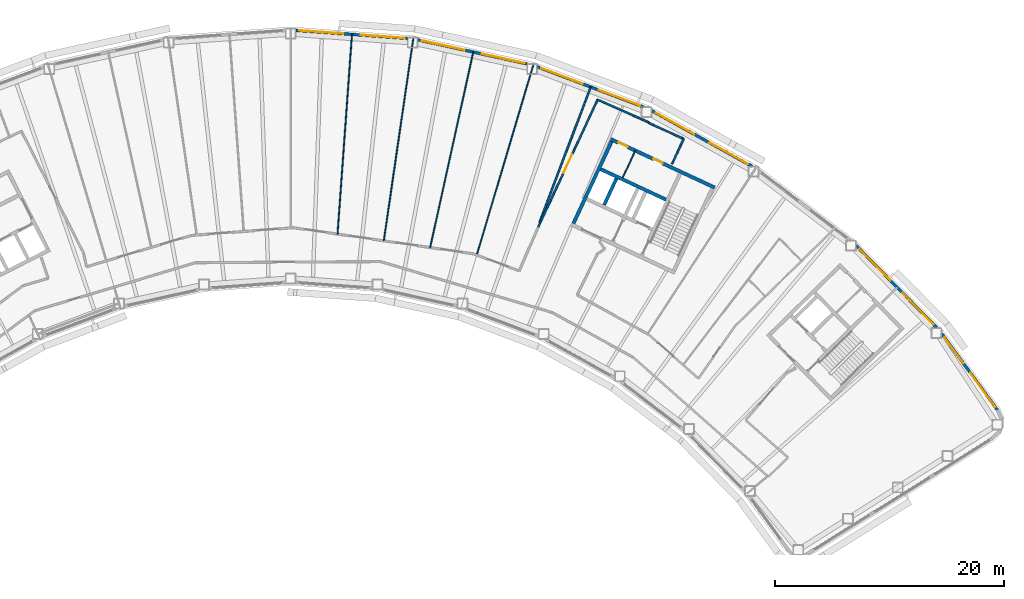
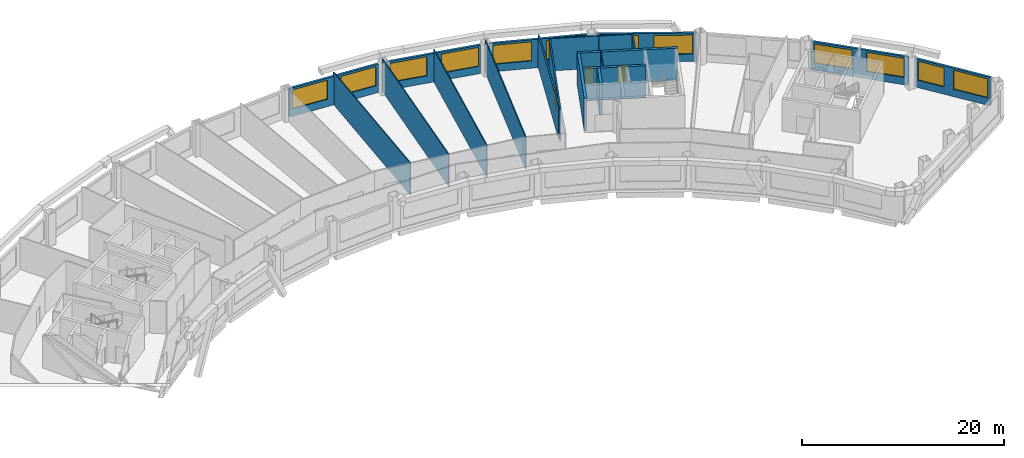
# One storey, part 10 of 16: 20 walls, 12 windows, 3 doors, 15 openings.
"""IFC4 building model written with IfcOpenShell, lengths in metres."""

from ifc_helpers import new_model, si_unit, direction, frame, frame_2d, origin, place, context, subcontext, project, spatial, rectangle, extrude, material, layer, layer_set, type_object, element, fill, save


model = new_model("IFC4")

# Units and contexts
model_context = context("Model", 3, precision=1e-05, world=origin(), true_north=direction((0.0, 1.0)))
body_context = subcontext(model_context, "Body", "Model", "MODEL_VIEW")
ifc_project = project(units=[si_unit("LENGTHUNIT", "METRE"), si_unit("AREAUNIT", "SQUARE_METRE"), si_unit("VOLUMEUNIT", "CUBIC_METRE"), si_unit("PLANEANGLEUNIT", "RADIAN"), si_unit("MASSUNIT", "GRAM", prefix="KILO")], contexts=[model_context])

# Site, building, storey
site_placement = place(None, origin())
site = spatial("IfcSite", under=ifc_project, at=site_placement, CompositionType="ELEMENT")
building_placement = place(site_placement, origin())
building = spatial("IfcBuilding", under=site, at=building_placement, Name="Tuul Gate Civic Tower", CompositionType="ELEMENT")
storey_placement = place(building_placement, frame((0.0, 0.0, 184.699951171875)))
storey = spatial("IfcBuildingStorey", under=building, at=storey_placement, Name="Level 42", CompositionType="ELEMENT", Elevation=184.699951171875)

# Wall
ifc_material_1 = material(Name="Concrete C50/60", Category="concrete")
ifc_layer_1 = layer(ifc_material_1, 0.300048828125)
ifc_layer_set_1 = layer_set([ifc_layer_1], Name="Concrete C50/60")
wall_type_1 = type_object("IfcWallType", Name="Core wall C50/60", PredefinedType="SHEAR", material=ifc_layer_set_1)
wall_1_placement = place(storey_placement, frame((33.75, -0.873779296875, 0.0), z_axis=(0.0, 0.0, 1.0), x_axis=(-0.906300917592, 0.422632992999, 0.0)))
element("IfcWall", 1, at=wall_1_placement, inside=storey, type_object=wall_type_1, Name="Core wall", PredefinedType="SHEAR", context=body_context, shape_type="SweptSolid", body=[
    extrude(rectangle(XDim=6.300048828125, YDim=0.300048828125, at=frame_2d((3.14990234375, 0.0))), origin(), (0.0, 0.0, 1.0), 3.900146484375),
])

# Wall, openings, doors
wall_2_placement = place(storey_placement, frame((37.993408203125, 0.181884765625, 0.0), z_axis=(0.0, 0.0, 1.0), x_axis=(-0.906310338845, 0.422612789327, 0.0)))
wall_2 = element("IfcWall", 2, at=wall_2_placement, inside=storey, type_object=wall_type_1, Name="Core wall", PredefinedType="SHEAR", context=body_context, shape_type="SweptSolid", body=[
    extrude(rectangle(XDim=9.999755859375, YDim=0.300048828125, at=frame_2d((5.0, 0.0))), origin(), (0.0, 0.0, 1.0), 3.900146484375),
])
opening_1_placement = place(wall_2_placement, frame((4.99365234375, 0.0, 0.0)))
opening_1 = element("IfcOpeningElement", 3, at=opening_1_placement, cuts=wall_2, Name="Opening O-D29", PredefinedType="OPENING", context=body_context, shape_type="SweptSolid", body=[
    extrude(rectangle(XDim=0.89990234375, YDim=2.10009765625, at=frame_2d((0.449951171875, 1.050048828125))), frame((0.0, 0.16015625, 0.0), z_axis=(0.0, -1.0, 0.0), x_axis=(1.0, 0.0, 0.0)), (0.0, 0.0, 1.0), 0.320068359375),
])
opening_2_placement = place(wall_2_placement, frame((8.368896484375, 0.0, 0.0)))
opening_2 = element("IfcOpeningElement", 4, at=opening_2_placement, cuts=wall_2, Name="Opening O-D30", PredefinedType="OPENING", context=body_context, shape_type="SweptSolid", body=[
    extrude(rectangle(XDim=0.89990234375, YDim=2.10009765625, at=frame_2d((0.449951171875, 1.050048828125))), frame((0.0, 0.16015625, 0.0), z_axis=(0.0, -1.0, 0.0), x_axis=(1.0, 0.0, 0.0)), (0.0, 0.0, 1.0), 0.320068359375),
])
ifc_material_2 = material(Name="Timber door leaf", Category="wood")
door_type_1 = type_object("IfcDoorType", Name="Door D09", OperationType="NOTDEFINED", PredefinedType="DOOR", material=ifc_material_2)
door_1_placement = place(opening_1_placement, origin())
door_1 = element("IfcDoor", 5, at=door_1_placement, inside=storey, type_object=door_type_1, Name="Door O-D29", OperationType="SINGLE_SWING_LEFT", OverallHeight=2.10009765625, OverallWidth=0.89990234375, PredefinedType="DOOR", context=body_context, shape_type="SweptSolid", body=[
    extrude(rectangle(XDim=0.89990234375, YDim=2.10009765625, at=frame_2d((0.449951171875, 1.050048828125))), frame((0.0, 0.02490234375, 0.0), z_axis=(0.0, -1.0, 0.0), x_axis=(1.0, 0.0, 0.0)), (0.0, 0.0, 1.0), 0.050048828125),
])
fill(opening_1, door_1)
door_2_placement = place(opening_2_placement, origin())
door_2 = element("IfcDoor", 6, at=door_2_placement, inside=storey, type_object=door_type_1, Name="Door O-D30", OperationType="SINGLE_SWING_RIGHT", OverallHeight=2.10009765625, OverallWidth=0.89990234375, PredefinedType="DOOR", context=body_context, shape_type="SweptSolid", body=[
    extrude(rectangle(XDim=0.89990234375, YDim=2.10009765625, at=frame_2d((0.449951171875, 1.050048828125))), frame((0.0, 0.02490234375, 0.0), z_axis=(0.0, -1.0, 0.0), x_axis=(1.0, 0.0, 0.0)), (0.0, 0.0, 1.0), 0.050048828125),
])
fill(opening_2, door_2)

# Walls
wall_3_placement = place(storey_placement, frame((28.349365234375, -1.33447265625, 0.0), z_axis=(0.0, 0.0, 1.0), x_axis=(0.422612891016, 0.906310291427, 0.0)))
element("IfcWall", 7, at=wall_3_placement, inside=storey, type_object=wall_type_1, Name="Core wall", PredefinedType="SHEAR", context=body_context, shape_type="SweptSolid", body=[
    extrude(rectangle(XDim=2.550048828125, YDim=0.300048828125, at=frame_2d((1.27490234375, 0.0))), origin(), (0.0, 0.0, 1.0), 3.900146484375),
])
wall_4_placement = place(storey_placement, frame((25.66455078125, -2.951416015625, 0.0), z_axis=(0.0, 0.0, 1.0), x_axis=(0.422582604137, 0.906324413596, 0.0)))
element("IfcWall", 8, at=wall_4_placement, inside=storey, type_object=wall_type_1, Name="Core wall", PredefinedType="SHEAR", context=body_context, shape_type="SweptSolid", body=[
    extrude(rectangle(XDim=7.89990234375, YDim=0.300048828125, at=frame_2d((3.949951171875, 0.0))), origin(), (0.0, 0.0, 1.0), 3.900146484375),
])
ifc_material_3 = material(Name="Gypsum board partition")
ifc_layer_2 = layer(ifc_material_3, 0.14990234375)
ifc_layer_set_2 = layer_set([ifc_layer_2], Name="Gypsum board partition")
wall_type_2 = type_object("IfcWallType", Name="Corridor wall P150", PredefinedType="PARTITIONING", material=ifc_layer_set_2)
wall_5_placement = place(storey_placement, frame((34.2744140625, 2.247802734375, 0.0), z_axis=(0.0, 0.0, 1.0), x_axis=(0.422602496555, 0.906315138296, 0.0)))
element("IfcWall", 9, at=wall_5_placement, inside=storey, type_object=wall_type_2, Name="p020", PredefinedType="PARTITIONING", context=body_context, shape_type="SweptSolid", body=[
    extrude(rectangle(XDim=2.408935546875, YDim=0.14990234375, at=frame_2d((1.20458984375, 0.0))), origin(), (0.0, 0.0, 1.0), 3.900146484375),
])
wall_6_placement = place(storey_placement, frame((27.78076171875, 7.85693359375, 0.0), z_axis=(0.0, 0.0, 1.0), x_axis=(0.913468780011, -0.406908820187, 0.0)))
element("IfcWall", 10, at=wall_6_placement, inside=storey, type_object=wall_type_2, Name="p021", PredefinedType="PARTITIONING", context=body_context, shape_type="SweptSolid", body=[
    extrude(rectangle(XDim=4.88037109375, YDim=0.14990234375, at=frame_2d((2.440185546875, 0.0))), origin(), (0.0, 0.0, 1.0), 3.900146484375),
])
wall_7_placement = place(storey_placement, frame((32.239501953125, 5.82373046875, 0.0), z_axis=(0.0, 0.0, 1.0), x_axis=(0.909874950062, -0.414882604179, 0.0)))
element("IfcWall", 11, at=wall_7_placement, inside=storey, type_object=wall_type_2, Name="p022", PredefinedType="PARTITIONING", context=body_context, shape_type="SweptSolid", body=[
    extrude(rectangle(XDim=3.35546875, YDim=0.14990234375, at=frame_2d((1.677734375, 0.0))), origin(), (0.0, 0.0, 1.0), 3.900146484375),
])

# Wall, opening, door
wall_8_placement = place(storey_placement, frame((22.580078125, -3.29638671875, 0.0), z_axis=(0.0, 0.0, 1.0), x_axis=(0.422580246916, 0.90632551267, 0.0)))
wall_8 = element("IfcWall", 12, at=wall_8_placement, inside=storey, type_object=wall_type_2, Name="p024", PredefinedType="PARTITIONING", context=body_context, shape_type="SweptSolid", body=[
    extrude(rectangle(XDim=12.305908203125, YDim=0.14990234375, at=frame_2d((6.15283203125, 0.0))), origin(), (0.0, 0.0, 1.0), 3.900146484375),
])
opening_3_placement = place(wall_8_placement, frame((5.246337890625, 0.0, 0.0)))
opening_3 = element("IfcOpeningElement", 13, at=opening_3_placement, cuts=wall_8, Name="Opening O-D04", PredefinedType="OPENING", context=body_context, shape_type="SweptSolid", body=[
    extrude(rectangle(XDim=1.800048828125, YDim=2.10009765625, at=frame_2d((0.89990234375, 1.050048828125))), frame((0.0, 0.0849609375, 0.0), z_axis=(0.0, -1.0, 0.0), x_axis=(1.0, 0.0, 0.0)), (0.0, 0.0, 1.0), 0.169921875),
])
ifc_material_4 = material(Name="Timber door leaf, double", Category="wood")
door_type_2 = type_object("IfcDoorType", Name="Door D18", OperationType="DOUBLE_DOOR_SINGLE_SWING", PredefinedType="DOOR", material=ifc_material_4)
door_3_placement = place(opening_3_placement, frame((1.800048828125, 0.0, 0.0), z_axis=(0.0, 0.0, 1.0), x_axis=(-1.0, 0.0, 0.0)))
door_3 = element("IfcDoor", 14, at=door_3_placement, inside=storey, type_object=door_type_2, Name="Door O-D04", OperationType="DOUBLE_DOOR_SINGLE_SWING", OverallHeight=2.10009765625, OverallWidth=1.800048828125, PredefinedType="DOOR", context=body_context, shape_type="SweptSolid", body=[
    extrude(rectangle(XDim=1.800048828125, YDim=2.10009765625, at=frame_2d((0.900146484375, 1.050048828125))), frame((0.0, 0.02490234375, 0.0), z_axis=(0.0, -1.0, 0.0), x_axis=(1.0, 0.0, 0.0)), (0.0, 0.0, 1.0), 0.050048828125),
])
fill(opening_3, door_3)

# Wall
wall_9_placement = place(storey_placement, frame((22.704833984375, -2.859375, 0.0), z_axis=(0.0, 0.0, 1.0), x_axis=(0.35371861076, 0.935351882663, 0.0)))
element("IfcWall", 15, at=wall_9_placement, inside=storey, type_object=wall_type_2, Name="p026", PredefinedType="PARTITIONING", context=body_context, shape_type="SweptSolid", body=[
    extrude(rectangle(XDim=12.643310546875, YDim=0.14990234375, at=frame_2d((6.32177734375, 0.0))), origin(), (0.0, 0.0, 1.0), 3.900146484375),
])

# Wall, openings, windows
ifc_material_5 = material(Name="Precast concrete C40/50", Category="concrete")
ifc_layer_3 = layer(ifc_material_5, 0.25)
ifc_layer_set_3 = layer_set([ifc_layer_3], Name="Precast concrete C40/50")
wall_type_3 = type_object("IfcWallType", Name="External wall", PredefinedType="STANDARD", material=ifc_layer_set_3)
wall_10_placement = place(storey_placement, frame((62.678955078125, -19.229736328125, 0.0), z_axis=(0.0, 0.0, 1.0), x_axis=(-0.589755466838, 0.80758187779, 0.0)))
wall_10 = element("IfcWall", 16, at=wall_10_placement, inside=storey, type_object=wall_type_3, Name="External wall", PredefinedType="STANDARD", context=body_context, shape_type="SweptSolid", body=[
    extrude(rectangle(XDim=8.25244140625, YDim=0.25, at=frame_2d((4.126220703125, 0.0))), origin(), (0.0, 0.0, 1.0), 3.449951171875),
])
opening_4_placement = place(wall_10_placement, frame((0.30078125, 0.0, 0.89990234375)))
opening_4 = element("IfcOpeningElement", 17, at=opening_4_placement, cuts=wall_10, Name="Opening W21", PredefinedType="OPENING", context=body_context, shape_type="SweptSolid", body=[
    extrude(rectangle(XDim=3.699951171875, YDim=2.300048828125, at=frame_2d((1.85009765625, 1.14990234375))), frame((0.0, 0.135009765625, 0.0), z_axis=(0.0, -1.0, 0.0), x_axis=(1.0, 0.0, 0.0)), (0.0, 0.0, 1.0), 0.27001953125),
])
opening_5_placement = place(wall_10_placement, frame((5.052734375, 0.0, 0.89990234375)))
opening_5 = element("IfcOpeningElement", 18, at=opening_5_placement, cuts=wall_10, Name="Opening W23", PredefinedType="OPENING", context=body_context, shape_type="SweptSolid", body=[
    extrude(rectangle(XDim=2.800048828125, YDim=2.300048828125, at=frame_2d((1.39990234375, 1.14990234375))), frame((0.0, 0.135009765625, 0.0), z_axis=(0.0, -1.0, 0.0), x_axis=(1.0, 0.0, 0.0)), (0.0, 0.0, 1.0), 0.27001953125),
])
ifc_material_6 = material(Name="Glass", Category="glass")
window_type_1 = type_object("IfcWindowType", Name="Window W21 3700 x 2300", PartitioningType="SINGLE_PANEL", PredefinedType="WINDOW", material=ifc_material_6)
window_1_placement = place(opening_4_placement, origin())
window_1 = element("IfcWindow", 19, at=window_1_placement, inside=storey, type_object=window_type_1, Name="Window", OverallHeight=2.300048828125, OverallWidth=3.699951171875, PartitioningType="SINGLE_PANEL", PredefinedType="WINDOW", context=body_context, shape_type="SweptSolid", body=[
    extrude(rectangle(XDim=3.699951171875, YDim=2.300048828125, at=frame_2d((1.85009765625, 1.14990234375))), frame((0.0, 0.030029296875, 0.0), z_axis=(0.0, -1.0, 0.0), x_axis=(1.0, 0.0, 0.0)), (0.0, 0.0, 1.0), 0.06005859375),
])
fill(opening_4, window_1)
ifc_material_7 = material(Name="Glass", Category="glass")
window_type_2 = type_object("IfcWindowType", Name="Window W23 2800 x 2300", PartitioningType="SINGLE_PANEL", PredefinedType="WINDOW", material=ifc_material_7)
window_2_placement = place(opening_5_placement, origin())
window_2 = element("IfcWindow", 20, at=window_2_placement, inside=storey, type_object=window_type_2, Name="Window", OverallHeight=2.300048828125, OverallWidth=2.800048828125, PartitioningType="SINGLE_PANEL", PredefinedType="WINDOW", context=body_context, shape_type="SweptSolid", body=[
    extrude(rectangle(XDim=2.800048828125, YDim=2.300048828125, at=frame_2d((1.39990234375, 1.14990234375))), frame((0.0, 0.030029296875, 0.0), z_axis=(0.0, -1.0, 0.0), x_axis=(1.0, 0.0, 0.0)), (0.0, 0.0, 1.0), 0.06005859375),
])
fill(opening_5, window_2)

wall_11_placement = place(storey_placement, frame((57.3759765625, -12.050048828125, 0.0), z_axis=(0.0, 0.0, 1.0), x_axis=(-0.700042765506, 0.714100921763, 0.0)))
wall_11 = element("IfcWall", 21, at=wall_11_placement, inside=storey, type_object=wall_type_3, Name="External wall", PredefinedType="STANDARD", context=body_context, shape_type="SweptSolid", body=[
    extrude(rectangle(XDim=10.05517578125, YDim=0.25, at=frame_2d((5.027587890625, 0.0))), origin(), (0.0, 0.0, 1.0), 3.449951171875),
])
opening_6_placement = place(wall_11_placement, frame((0.416748046875, 0.0, 0.89990234375)))
opening_6 = element("IfcOpeningElement", 22, at=opening_6_placement, cuts=wall_11, Name="Opening W22", PredefinedType="OPENING", context=body_context, shape_type="SweptSolid", body=[
    extrude(rectangle(XDim=3.85009765625, YDim=2.300048828125, at=frame_2d((1.925048828125, 1.14990234375))), frame((0.0, 0.135009765625, 0.0), z_axis=(0.0, -1.0, 0.0), x_axis=(1.0, 0.0, 0.0)), (0.0, 0.0, 1.0), 0.27001953125),
])
opening_7_placement = place(wall_11_placement, frame((5.787841796875, 0.0, 0.89990234375)))
opening_7 = element("IfcOpeningElement", 23, at=opening_7_placement, cuts=wall_11, Name="Opening W22", PredefinedType="OPENING", context=body_context, shape_type="SweptSolid", body=[
    extrude(rectangle(XDim=3.85009765625, YDim=2.300048828125, at=frame_2d((1.925048828125, 1.14990234375))), frame((0.0, 0.135009765625, 0.0), z_axis=(0.0, -1.0, 0.0), x_axis=(1.0, 0.0, 0.0)), (0.0, 0.0, 1.0), 0.27001953125),
])
ifc_material_8 = material(Name="Glass", Category="glass")
window_type_3 = type_object("IfcWindowType", Name="Window W22 3850 x 2300", PartitioningType="SINGLE_PANEL", PredefinedType="WINDOW", material=ifc_material_8)
window_3_placement = place(opening_6_placement, origin())
window_3 = element("IfcWindow", 24, at=window_3_placement, inside=storey, type_object=window_type_3, Name="Window", OverallHeight=2.300048828125, OverallWidth=3.85009765625, PartitioningType="SINGLE_PANEL", PredefinedType="WINDOW", context=body_context, shape_type="SweptSolid", body=[
    extrude(rectangle(XDim=3.85009765625, YDim=2.300048828125, at=frame_2d((1.925048828125, 1.14990234375))), frame((0.0, 0.030029296875, 0.0), z_axis=(0.0, -1.0, 0.0), x_axis=(1.0, 0.0, 0.0)), (0.0, 0.0, 1.0), 0.06005859375),
])
fill(opening_6, window_3)
window_4_placement = place(opening_7_placement, origin())
window_4 = element("IfcWindow", 25, at=window_4_placement, inside=storey, type_object=window_type_3, Name="Window", OverallHeight=2.300048828125, OverallWidth=3.85009765625, PartitioningType="SINGLE_PANEL", PredefinedType="WINDOW", context=body_context, shape_type="SweptSolid", body=[
    extrude(rectangle(XDim=3.85009765625, YDim=2.300048828125, at=frame_2d((1.925048828125, 1.14990234375))), frame((0.0, 0.030029296875, 0.0), z_axis=(0.0, -1.0, 0.0), x_axis=(1.0, 0.0, 0.0)), (0.0, 0.0, 1.0), 0.06005859375),
])
fill(opening_7, window_4)

wall_12_placement = place(storey_placement, frame((41.251220703125, 2.04296875, 0.0), z_axis=(0.0, 0.0, 1.0), x_axis=(-0.874633566806, 0.484784615903, 0.0)))
wall_12 = element("IfcWall", 26, at=wall_12_placement, inside=storey, type_object=wall_type_3, Name="External wall", PredefinedType="STANDARD", context=body_context, shape_type="SweptSolid", body=[
    extrude(rectangle(XDim=10.001220703125, YDim=0.25, at=frame_2d((5.00048828125, 0.0))), origin(), (0.0, 0.0, 1.0), 3.449951171875),
])
opening_8_placement = place(wall_12_placement, frame((0.38671875, 0.0, 0.89990234375)))
opening_8 = element("IfcOpeningElement", 27, at=opening_8_placement, cuts=wall_12, Name="Opening W22", PredefinedType="OPENING", context=body_context, shape_type="SweptSolid", body=[
    extrude(rectangle(XDim=3.85009765625, YDim=2.300048828125, at=frame_2d((1.925048828125, 1.14990234375))), frame((0.0, 0.135009765625, 0.0), z_axis=(0.0, -1.0, 0.0), x_axis=(1.0, 0.0, 0.0)), (0.0, 0.0, 1.0), 0.27001953125),
])
opening_9_placement = place(wall_12_placement, frame((5.758056640625, 0.0, 0.89990234375)))
opening_9 = element("IfcOpeningElement", 28, at=opening_9_placement, cuts=wall_12, Name="Opening W22", PredefinedType="OPENING", context=body_context, shape_type="SweptSolid", body=[
    extrude(rectangle(XDim=3.85009765625, YDim=2.300048828125, at=frame_2d((1.925048828125, 1.14990234375))), frame((0.0, 0.135009765625, 0.0), z_axis=(0.0, -1.0, 0.0), x_axis=(1.0, 0.0, 0.0)), (0.0, 0.0, 1.0), 0.27001953125),
])
window_5_placement = place(opening_8_placement, origin())
window_5 = element("IfcWindow", 29, at=window_5_placement, inside=storey, type_object=window_type_3, Name="Window", OverallHeight=2.300048828125, OverallWidth=3.85009765625, PartitioningType="SINGLE_PANEL", PredefinedType="WINDOW", context=body_context, shape_type="SweptSolid", body=[
    extrude(rectangle(XDim=3.85009765625, YDim=2.300048828125, at=frame_2d((1.925048828125, 1.14990234375))), frame((0.0, 0.030029296875, 0.0), z_axis=(0.0, -1.0, 0.0), x_axis=(1.0, 0.0, 0.0)), (0.0, 0.0, 1.0), 0.06005859375),
])
fill(opening_8, window_5)
window_6_placement = place(opening_9_placement, origin())
window_6 = element("IfcWindow", 30, at=window_6_placement, inside=storey, type_object=window_type_3, Name="Window", OverallHeight=2.300048828125, OverallWidth=3.85009765625, PartitioningType="SINGLE_PANEL", PredefinedType="WINDOW", context=body_context, shape_type="SweptSolid", body=[
    extrude(rectangle(XDim=3.85009765625, YDim=2.300048828125, at=frame_2d((1.925048828125, 1.14990234375))), frame((0.0, 0.030029296875, 0.0), z_axis=(0.0, -1.0, 0.0), x_axis=(1.0, 0.0, 0.0)), (0.0, 0.0, 1.0), 0.06005859375),
])
fill(opening_9, window_6)

wall_13_placement = place(storey_placement, frame((31.78125, 7.219970703125, 0.0), z_axis=(0.0, 0.0, 1.0), x_axis=(-0.935342915264, 0.353742322694, 0.0)))
wall_13 = element("IfcWall", 31, at=wall_13_placement, inside=storey, type_object=wall_type_3, Name="External wall", PredefinedType="STANDARD", context=body_context, shape_type="SweptSolid", body=[
    extrude(rectangle(XDim=9.904541015625, YDim=0.25, at=frame_2d((4.9521484375, 0.0))), origin(), (0.0, 0.0, 1.0), 3.449951171875),
])
opening_10_placement = place(wall_13_placement, frame((0.314208984375, 0.0, 0.89990234375)))
opening_10 = element("IfcOpeningElement", 32, at=opening_10_placement, cuts=wall_13, Name="Opening W22", PredefinedType="OPENING", context=body_context, shape_type="SweptSolid", body=[
    extrude(rectangle(XDim=3.85009765625, YDim=2.300048828125, at=frame_2d((1.925048828125, 1.14990234375))), frame((0.0, 0.135009765625, 0.0), z_axis=(0.0, -1.0, 0.0), x_axis=(1.0, 0.0, 0.0)), (0.0, 0.0, 1.0), 0.27001953125),
])
opening_11_placement = place(wall_13_placement, frame((5.685546875, 0.0, 0.89990234375)))
opening_11 = element("IfcOpeningElement", 33, at=opening_11_placement, cuts=wall_13, Name="Opening W22", PredefinedType="OPENING", context=body_context, shape_type="SweptSolid", body=[
    extrude(rectangle(XDim=3.85009765625, YDim=2.300048828125, at=frame_2d((1.925048828125, 1.14990234375))), frame((0.0, 0.135009765625, 0.0), z_axis=(0.0, -1.0, 0.0), x_axis=(1.0, 0.0, 0.0)), (0.0, 0.0, 1.0), 0.27001953125),
])
window_7_placement = place(opening_10_placement, origin())
window_7 = element("IfcWindow", 34, at=window_7_placement, inside=storey, type_object=window_type_3, Name="Window", OverallHeight=2.300048828125, OverallWidth=3.85009765625, PartitioningType="SINGLE_PANEL", PredefinedType="WINDOW", context=body_context, shape_type="SweptSolid", body=[
    extrude(rectangle(XDim=3.85009765625, YDim=2.300048828125, at=frame_2d((1.925048828125, 1.14990234375))), frame((0.0, 0.030029296875, 0.0), z_axis=(0.0, -1.0, 0.0), x_axis=(1.0, 0.0, 0.0)), (0.0, 0.0, 1.0), 0.06005859375),
])
fill(opening_10, window_7)
window_8_placement = place(opening_11_placement, origin())
window_8 = element("IfcWindow", 35, at=window_8_placement, inside=storey, type_object=window_type_3, Name="Window", OverallHeight=2.300048828125, OverallWidth=3.85009765625, PartitioningType="SINGLE_PANEL", PredefinedType="WINDOW", context=body_context, shape_type="SweptSolid", body=[
    extrude(rectangle(XDim=3.85009765625, YDim=2.300048828125, at=frame_2d((1.925048828125, 1.14990234375))), frame((0.0, 0.030029296875, 0.0), z_axis=(0.0, -1.0, 0.0), x_axis=(1.0, 0.0, 0.0)), (0.0, 0.0, 1.0), 0.06005859375),
])
fill(opening_11, window_8)

wall_14_placement = place(storey_placement, frame((21.616943359375, 10.978271484375, 0.0), z_axis=(0.0, 0.0, 1.0), x_axis=(-0.976564163257, 0.215226473842, 0.0)))
wall_14 = element("IfcWall", 36, at=wall_14_placement, inside=storey, type_object=wall_type_3, Name="External wall", PredefinedType="STANDARD", context=body_context, shape_type="SweptSolid", body=[
    extrude(rectangle(XDim=9.756591796875, YDim=0.25, at=frame_2d((4.87841796875, 0.0))), origin(), (0.0, 0.0, 1.0), 3.449951171875),
])
opening_12_placement = place(wall_14_placement, frame((0.1962890625, 0.0, 0.89990234375)))
opening_12 = element("IfcOpeningElement", 37, at=opening_12_placement, cuts=wall_14, Name="Opening W22", PredefinedType="OPENING", context=body_context, shape_type="SweptSolid", body=[
    extrude(rectangle(XDim=3.85009765625, YDim=2.300048828125, at=frame_2d((1.925048828125, 1.14990234375))), frame((0.0, 0.135009765625, 0.0), z_axis=(0.0, -1.0, 0.0), x_axis=(1.0, 0.0, 0.0)), (0.0, 0.0, 1.0), 0.27001953125),
])
opening_13_placement = place(wall_14_placement, frame((5.567626953125, 0.0, 0.89990234375)))
opening_13 = element("IfcOpeningElement", 38, at=opening_13_placement, cuts=wall_14, Name="Opening W22", PredefinedType="OPENING", context=body_context, shape_type="SweptSolid", body=[
    extrude(rectangle(XDim=3.85009765625, YDim=2.300048828125, at=frame_2d((1.925048828125, 1.14990234375))), frame((0.0, 0.135009765625, 0.0), z_axis=(0.0, -1.0, 0.0), x_axis=(1.0, 0.0, 0.0)), (0.0, 0.0, 1.0), 0.27001953125),
])
window_9_placement = place(opening_12_placement, origin())
window_9 = element("IfcWindow", 39, at=window_9_placement, inside=storey, type_object=window_type_3, Name="Window", OverallHeight=2.300048828125, OverallWidth=3.85009765625, PartitioningType="SINGLE_PANEL", PredefinedType="WINDOW", context=body_context, shape_type="SweptSolid", body=[
    extrude(rectangle(XDim=3.85009765625, YDim=2.300048828125, at=frame_2d((1.925048828125, 1.14990234375))), frame((0.0, 0.030029296875, 0.0), z_axis=(0.0, -1.0, 0.0), x_axis=(1.0, 0.0, 0.0)), (0.0, 0.0, 1.0), 0.06005859375),
])
fill(opening_12, window_9)
window_10_placement = place(opening_13_placement, origin())
window_10 = element("IfcWindow", 40, at=window_10_placement, inside=storey, type_object=window_type_3, Name="Window", OverallHeight=2.300048828125, OverallWidth=3.85009765625, PartitioningType="SINGLE_PANEL", PredefinedType="WINDOW", context=body_context, shape_type="SweptSolid", body=[
    extrude(rectangle(XDim=3.85009765625, YDim=2.300048828125, at=frame_2d((1.925048828125, 1.14990234375))), frame((0.0, 0.030029296875, 0.0), z_axis=(0.0, -1.0, 0.0), x_axis=(1.0, 0.0, 0.0)), (0.0, 0.0, 1.0), 0.06005859375),
])
fill(opening_13, window_10)

wall_15_placement = place(storey_placement, frame((11.18896484375, 13.202880859375, 0.0), z_axis=(0.0, 0.0, 1.0), x_axis=(-0.997385917902, 0.072258776432, 0.0)))
wall_15 = element("IfcWall", 41, at=wall_15_placement, inside=storey, type_object=wall_type_3, Name="External wall", PredefinedType="STANDARD", context=body_context, shape_type="SweptSolid", body=[
    extrude(rectangle(XDim=9.774658203125, YDim=0.25, at=frame_2d((4.88720703125, 0.0))), origin(), (0.0, 0.0, 1.0), 3.449951171875),
])
opening_14_placement = place(wall_15_placement, frame((0.253173828125, 0.0, 0.89990234375)))
opening_14 = element("IfcOpeningElement", 42, at=opening_14_placement, cuts=wall_15, Name="Opening W22", PredefinedType="OPENING", context=body_context, shape_type="SweptSolid", body=[
    extrude(rectangle(XDim=3.85009765625, YDim=2.300048828125, at=frame_2d((1.925048828125, 1.14990234375))), frame((0.0, 0.135009765625, 0.0), z_axis=(0.0, -1.0, 0.0), x_axis=(1.0, 0.0, 0.0)), (0.0, 0.0, 1.0), 0.27001953125),
])
opening_15_placement = place(wall_15_placement, frame((5.624267578125, 0.0, 0.89990234375)))
opening_15 = element("IfcOpeningElement", 43, at=opening_15_placement, cuts=wall_15, Name="Opening W22", PredefinedType="OPENING", context=body_context, shape_type="SweptSolid", body=[
    extrude(rectangle(XDim=3.85009765625, YDim=2.300048828125, at=frame_2d((1.925048828125, 1.14990234375))), frame((0.0, 0.135009765625, 0.0), z_axis=(0.0, -1.0, 0.0), x_axis=(1.0, 0.0, 0.0)), (0.0, 0.0, 1.0), 0.27001953125),
])
window_11_placement = place(opening_14_placement, origin())
window_11 = element("IfcWindow", 44, at=window_11_placement, inside=storey, type_object=window_type_3, Name="Window", OverallHeight=2.300048828125, OverallWidth=3.85009765625, PartitioningType="SINGLE_PANEL", PredefinedType="WINDOW", context=body_context, shape_type="SweptSolid", body=[
    extrude(rectangle(XDim=3.85009765625, YDim=2.300048828125, at=frame_2d((1.925048828125, 1.14990234375))), frame((0.0, 0.030029296875, 0.0), z_axis=(0.0, -1.0, 0.0), x_axis=(1.0, 0.0, 0.0)), (0.0, 0.0, 1.0), 0.06005859375),
])
fill(opening_14, window_11)
window_12_placement = place(opening_15_placement, origin())
window_12 = element("IfcWindow", 45, at=window_12_placement, inside=storey, type_object=window_type_3, Name="Window", OverallHeight=2.300048828125, OverallWidth=3.85009765625, PartitioningType="SINGLE_PANEL", PredefinedType="WINDOW", context=body_context, shape_type="SweptSolid", body=[
    extrude(rectangle(XDim=3.85009765625, YDim=2.300048828125, at=frame_2d((1.925048828125, 1.14990234375))), frame((0.0, 0.030029296875, 0.0), z_axis=(0.0, -1.0, 0.0), x_axis=(1.0, 0.0, 0.0)), (0.0, 0.0, 1.0), 0.06005859375),
])
fill(opening_15, window_12)

# Walls
ifc_material_9 = material(Name="Gypsum board partition")
ifc_layer_4 = layer(ifc_material_9, 0.10009765625)
ifc_layer_set_4 = layer_set([ifc_layer_4], Name="Gypsum board partition")
wall_type_4 = type_object("IfcWallType", Name="Partition P100", PredefinedType="PARTITIONING", material=ifc_layer_set_4)
wall_16_placement = place(storey_placement, frame((17.22802734375, -5.7138671875, 0.0), z_axis=(0.0, 0.0, 1.0), x_axis=(0.285206511667, 0.958466090012, 0.0)))
element("IfcWall", 46, at=wall_16_placement, inside=storey, type_object=wall_type_4, Name="p027", PredefinedType="PARTITIONING", context=body_context, shape_type="SweptSolid", body=[
    extrude(rectangle(XDim=17.295654296875, YDim=0.10009765625, at=frame_2d((8.64794921875, 0.0))), origin(), (0.0, 0.0, 1.0), 3.900146484375),
])
wall_17_placement = place(storey_placement, frame((13.16162109375, -5.0537109375, 0.0), z_axis=(0.0, 0.0, 1.0), x_axis=(0.215231034136, 0.976563158195, 0.0)))
element("IfcWall", 47, at=wall_17_placement, inside=storey, type_object=wall_type_4, Name="p029", PredefinedType="PARTITIONING", context=body_context, shape_type="SweptSolid", body=[
    extrude(rectangle(XDim=17.48095703125, YDim=0.10009765625, at=frame_2d((8.740478515625, 0.0))), origin(), (0.0, 0.0, 1.0), 3.900146484375),
])
wall_18_placement = place(storey_placement, frame((9.118408203125, -4.466552734375, 0.0), z_axis=(0.0, 0.0, 1.0), x_axis=(0.144105435144, 0.989562339402, 0.0)))
element("IfcWall", 48, at=wall_18_placement, inside=storey, type_object=wall_type_4, Name="p031", PredefinedType="PARTITIONING", context=body_context, shape_type="SweptSolid", body=[
    extrude(rectangle(XDim=17.824462890625, YDim=0.10009765625, at=frame_2d((8.912109375, 0.0))), origin(), (0.0, 0.0, 1.0), 3.900146484375),
])
wall_19_placement = place(storey_placement, frame((5.075439453125, -3.87939453125, 0.0), z_axis=(0.0, 0.0, 1.0), x_axis=(0.072232387983, 0.997387829345, 0.0)))
element("IfcWall", 49, at=wall_19_placement, inside=storey, type_object=wall_type_4, Name="p032", PredefinedType="PARTITIONING", context=body_context, shape_type="SweptSolid", body=[
    extrude(rectangle(XDim=17.484375, YDim=0.10009765625, at=frame_2d((8.7421875, 0.0))), origin(), (0.0, 0.0, 1.0), 3.900146484375),
])
wall_20_placement = place(storey_placement, frame((29.972900390625, 1.052978515625, 0.0), z_axis=(0.0, 0.0, 1.0), x_axis=(0.422556439746, 0.906336612539, 0.0)))
element("IfcWall", 50, at=wall_20_placement, inside=storey, type_object=wall_type_4, Name="bE3-BAND-0", PredefinedType="PARTITIONING", context=body_context, shape_type="SweptSolid", body=[
    extrude(rectangle(XDim=2.599853515625, YDim=0.10009765625, at=frame_2d((1.2998046875, 0.0))), origin(), (0.0, 0.0, 1.0), 3.900146484375),
])

save(model, "model.ifc")
